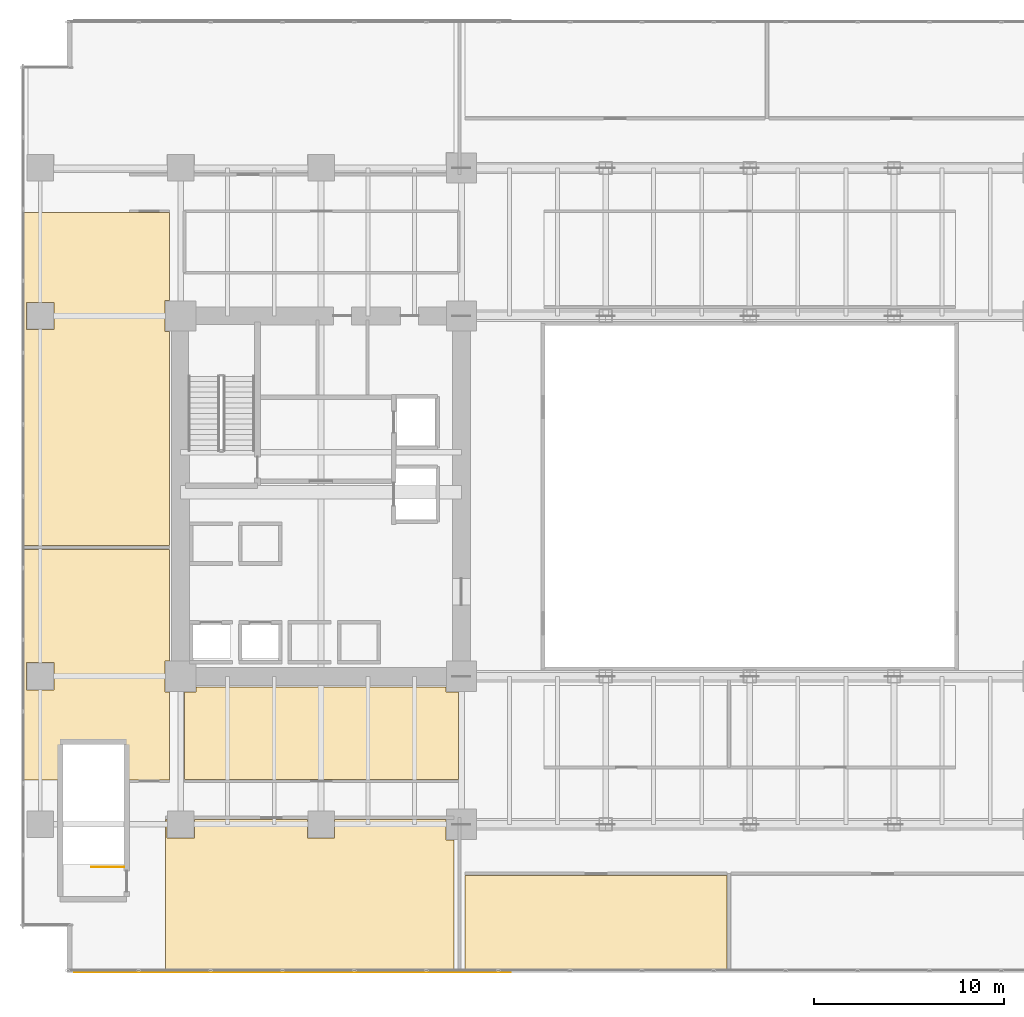
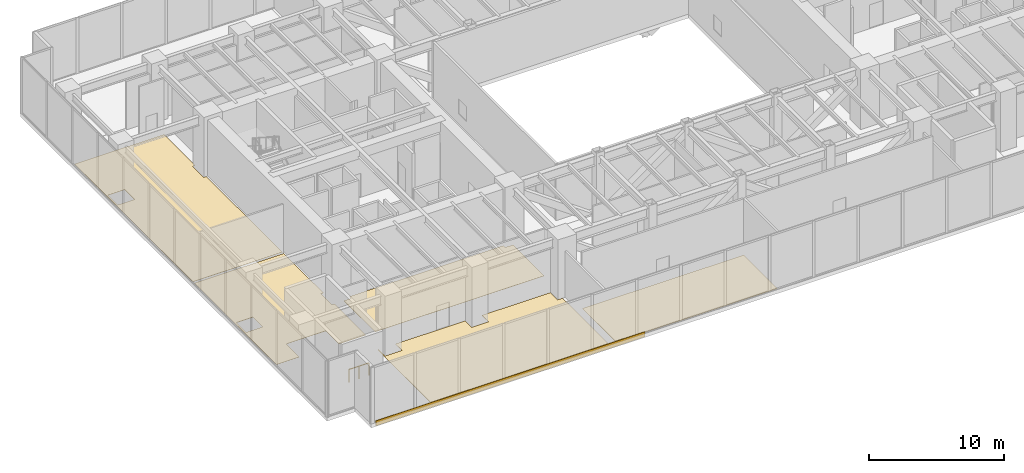
# One storey, part 32 of 35: 6 coverings, 1 railing.
"""IFC4 building model written with IfcOpenShell, lengths in metres."""

from ifc_helpers import new_model, si_unit, direction, frame, frame_2d, origin, origin_2d, place, context, subcontext, project, spatial, polyline, rectangle, circle, outline, extrude, source, transform, mapped, material, layer, layer_set, type_object, type_shapes, element, save


model = new_model("IFC4")

# Units and contexts
model_context = context("Model", 3, precision=1e-05, world=origin(), true_north=direction((0.0, 1.0)))
body_context = subcontext(model_context, "Body", "Model", "MODEL_VIEW")
ifc_project = project(units=[si_unit("LENGTHUNIT", "METRE"), si_unit("AREAUNIT", "SQUARE_METRE"), si_unit("VOLUMEUNIT", "CUBIC_METRE"), si_unit("PLANEANGLEUNIT", "RADIAN"), si_unit("MASSUNIT", "GRAM", prefix="KILO")], contexts=[model_context])

# Site, building, storey
site_placement = place(None, origin())
site = spatial("IfcSite", under=ifc_project, at=site_placement, CompositionType="ELEMENT")
building_placement = place(site_placement, origin())
building = spatial("IfcBuilding", under=site, at=building_placement, Name="Haelvirn Gate Laboratories", CompositionType="ELEMENT")
storey_placement = place(building_placement, frame((0.0, 0.0, 19.800048828125)))
storey = spatial("IfcBuildingStorey", under=building, at=storey_placement, Name="L05", CompositionType="ELEMENT", Elevation=19.800048828125)

# Coverings
ifc_material_1 = material(Name="Anodised bronze honeycomb aluminium spandrel cladding", Category="aluminium")
ifc_layer_1 = layer(ifc_material_1, 0.044921875, Name="COV-CLAD-BRZ")
ifc_layer_set_1 = layer_set([ifc_layer_1], Name="Anodised bronze honeycomb aluminium spandrel cladding")
covering_type_1 = type_object("IfcCoveringType", Name="COV-CLAD-BRZ", PredefinedType="CLADDING", material=ifc_layer_set_1)
covering_1_placement = place(storey_placement, frame((1.800048828125, -0.77001953125, -0.300048828125), z_axis=(0.0, 0.0, 1.0), x_axis=(1.0, 0.0, 0.0)))
element("IfcCovering", 1, at=covering_1_placement, inside=storey, type_object=covering_type_1, Name="L05 Bronze Slab-Edge Spandrel Cladding SW", PredefinedType="CLADDING", context=body_context, shape_type="SweptSolid", body=[
    extrude(rectangle(XDim=23.0, YDim=0.044921875, at=frame_2d((11.5, 0.0))), origin(), (0.0, 0.0, 1.0), 0.449951171875),
])
ifc_material_2 = material(Name="Seamless chemical-resistant epoxy laboratory flooring")
ifc_layer_2 = layer(ifc_material_2, 0.01806640625, Name="COV-FLR-RESIN")
ifc_layer_set_2 = layer_set([ifc_layer_2], Name="Seamless chemical-resistant epoxy laboratory flooring")
covering_type_2 = type_object("IfcCoveringType", Name="COV-FLR-RESIN", PredefinedType="FLOORING", material=ifc_layer_set_2)
covering_2_placement = place(storey_placement, origin())
element("IfcCovering", 2, at=covering_2_placement, inside=storey, type_object=covering_type_2, Name="L05 Seamless Laboratory Flooring FLR-SP-L05-SO-1", PredefinedType="FLOORING", context=body_context, shape_type="SweptSolid", body=[
    extrude(outline(polyline([(15.52001953125, 7.25), (21.3798828125, 7.25), (21.3798828125, 6.179931640625), (21.800048828125, 6.179931640625), (21.800048828125, -0.679931640625), (6.60009765625, -0.679931640625), (6.60009765625, 7.25), (6.679931640625, 7.25), (6.679931640625, 6.280029296875), (8.1201171875, 6.280029296875), (8.1201171875, 7.25), (14.080078125, 7.25), (14.080078125, 6.280029296875), (15.52001953125, 6.280029296875), (15.52001953125, 7.25)])), origin(), (0.0, 0.0, 1.0), 0.01806640625),
])
covering_3_placement = place(storey_placement, origin())
element("IfcCovering", 3, at=covering_3_placement, inside=storey, type_object=covering_type_2, Name="L05 Seamless Laboratory Flooring FLR-SP-L05-SO-2", PredefinedType="FLOORING", context=body_context, shape_type="SweptSolid", body=[
    extrude(outline(polyline([(36.199951171875, 4.300048828125), (36.199951171875, -0.679931640625), (22.39990234375, -0.679931640625), (22.39990234375, 4.300048828125), (36.199951171875, 4.300048828125)])), origin(), (0.0, 0.0, 1.0), 0.01806640625),
])
covering_4_placement = place(storey_placement, origin())
element("IfcCovering", 4, at=covering_4_placement, inside=storey, type_object=covering_type_2, Name="L05 Seamless Laboratory Flooring FLR-SP-L05-INC-W", PredefinedType="FLOORING", context=body_context, shape_type="SweptSolid", body=[
    extrude(outline(polyline([(21.3798828125, 14.25), (21.3798828125, 13.97998046875), (22.050048828125, 13.97998046875), (22.050048828125, 9.360107421875), (7.60009765625, 9.360107421875), (7.60009765625, 13.97998046875), (8.219970703125, 13.97998046875), (8.219970703125, 14.25), (21.3798828125, 14.25)])), origin(), (0.0, 0.0, 1.0), 0.01806640625),
])
covering_5_placement = place(storey_placement, origin())
element("IfcCovering", 5, at=covering_5_placement, inside=storey, type_object=covering_type_2, Name="L05 Seamless Laboratory Flooring FLR-SP-L05-WING-W-S", PredefinedType="FLOORING", context=body_context, shape_type="SweptSolid", body=[
    extrude(outline(polyline([(6.580078125, 15.6201171875), (6.580078125, 13.97998046875), (6.800048828125, 13.97998046875), (6.800048828125, 9.35009765625), (4.489990234375, 9.35009765625), (4.489990234375, 11.199951171875), (4.489990234375, 11.201904296875), (4.48974609375, 11.206787109375), (4.4892578125, 11.210693359375), (4.488525390625, 11.215576171875), (4.48779296875, 11.219482421875), (4.486572265625, 11.22412109375), (4.485595703125, 11.22802734375), (4.48388671875, 11.232666015625), (4.482421875, 11.236083984375), (4.480224609375, 11.24072265625), (4.478515625, 11.244140625), (4.475830078125, 11.248291015625), (4.4736328125, 11.251708984375), (4.470703125, 11.255615234375), (4.46826171875, 11.258544921875), (4.465087890625, 11.26220703125), (4.462158203125, 11.264892578125), (4.45849609375, 11.268310546875), (4.45556640625, 11.270751953125), (4.45166015625, 11.273681640625), (4.4482421875, 11.27587890625), (4.444091796875, 11.2783203125), (4.440673828125, 11.2802734375), (4.436279296875, 11.282470703125), (4.4326171875, 11.283935546875), (4.427978515625, 11.285400390625), (4.42431640625, 11.28662109375), (4.41943359375, 11.287841796875), (4.41552734375, 11.28857421875), (4.410888671875, 11.289306640625), (4.406982421875, 11.289794921875), (4.402099609375, 11.2900390625), (4.39990234375, 11.2900390625), (1.199951171875, 11.2900390625), (1.197998046875, 11.2900390625), (1.193115234375, 11.289794921875), (1.189208984375, 11.289306640625), (1.184326171875, 11.28857421875), (1.180419921875, 11.287841796875), (1.17578125, 11.28662109375), (1.172119140625, 11.285400390625), (1.16748046875, 11.283935546875), (1.163818359375, 11.282470703125), (1.1591796875, 11.2802734375), (1.156005859375, 11.2783203125), (1.151611328125, 11.27587890625), (1.1484375, 11.273681640625), (1.14453125, 11.270751953125), (1.141357421875, 11.268310546875), (1.1376953125, 11.264892578125), (1.135009765625, 11.26220703125), (1.131591796875, 11.258544921875), (1.129150390625, 11.255615234375), (1.126220703125, 11.251708984375), (1.1240234375, 11.248291015625), (1.12158203125, 11.244140625), (1.11962890625, 11.24072265625), (1.11767578125, 11.236083984375), (1.1162109375, 11.232666015625), (1.114501953125, 11.22802734375), (1.11328125, 11.22412109375), (1.1123046875, 11.219482421875), (1.111328125, 11.215576171875), (1.110595703125, 11.210693359375), (1.1103515625, 11.206787109375), (1.110107421875, 11.201904296875), (1.110107421875, 11.199951171875), (1.110107421875, 9.35009765625), (-0.85009765625, 9.35009765625), (-0.85009765625, 21.5), (6.800048828125, 21.5), (6.800048828125, 15.6201171875), (6.580078125, 15.6201171875)]), holes=[polyline([(-0.719970703125, 14.080078125), (0.719970703125, 14.080078125), (0.719970703125, 15.52001953125), (-0.719970703125, 15.52001953125), (-0.719970703125, 14.080078125)])]), origin(), (0.0, 0.0, 1.0), 0.01806640625),
])
covering_6_placement = place(storey_placement, origin())
element("IfcCovering", 6, at=covering_6_placement, inside=storey, type_object=covering_type_2, Name="L05 Seamless Laboratory Flooring FLR-SP-L05-WING-W-N", PredefinedType="FLOORING", context=body_context, shape_type="SweptSolid", body=[
    extrude(outline(polyline([(6.580078125, 34.6201171875), (6.580078125, 32.97998046875), (6.800048828125, 32.97998046875), (6.800048828125, 21.699951171875), (-0.85009765625, 21.699951171875), (-0.85009765625, 39.25), (6.800048828125, 39.25), (6.800048828125, 34.6201171875), (6.580078125, 34.6201171875)]), holes=[polyline([(-0.719970703125, 33.080078125), (0.719970703125, 33.080078125), (0.719970703125, 34.52001953125), (-0.719970703125, 34.52001953125), (-0.719970703125, 33.080078125)])]), origin(), (0.0, 0.0, 1.0), 0.01806640625),
])

# Railing
ifc_material_3 = material(Name="Galvanised steel SM355 & stainless top rail", Category="steel")
railing_type = type_object("IfcRailingType", Name="RL-GUARD-1150", PredefinedType="GUARDRAIL", material=ifc_material_3)
shared_shape = source(origin(), body_context, "Body", "SweptSolid", [
    extrude(circle(Radius=0.02392578125, at=origin_2d()), frame((0.0, 0.0, 1.1259765625), z_axis=(-1.0, 0.0, 0.0), x_axis=(0.0, -1.0, 0.0)), (0.0, 0.0, 1.0), 1.699951171875),
    extrude(circle(Radius=0.02099609375, at=origin_2d()), origin(), (0.0, 0.0, 1.0), 1.101806640625),
    extrude(circle(Radius=0.02099609375, at=origin_2d()), frame((-0.85009765625, 0.0, 0.0)), (0.0, 0.0, 1.0), 1.101806640625),
    extrude(circle(Radius=0.02099609375, at=origin_2d()), frame((-1.699951171875, 0.0, 0.0)), (0.0, 0.0, 1.0), 1.101806640625),
])
type_shapes(railing_type, [shared_shape])
railing_placement = place(storey_placement, frame((4.39990234375, 4.75, 0.0)))
element("IfcRailing", 7, at=railing_placement, inside=storey, type_object=railing_type, Name="L05 ST3 top well guard 1", PredefinedType="GUARDRAIL", context=body_context, shape_type="MappedRepresentation", body=[
    mapped(shared_shape, transform((0.0, 0.0, 0.0), scale=1.0)),
])

save(model, "model.ifc")
